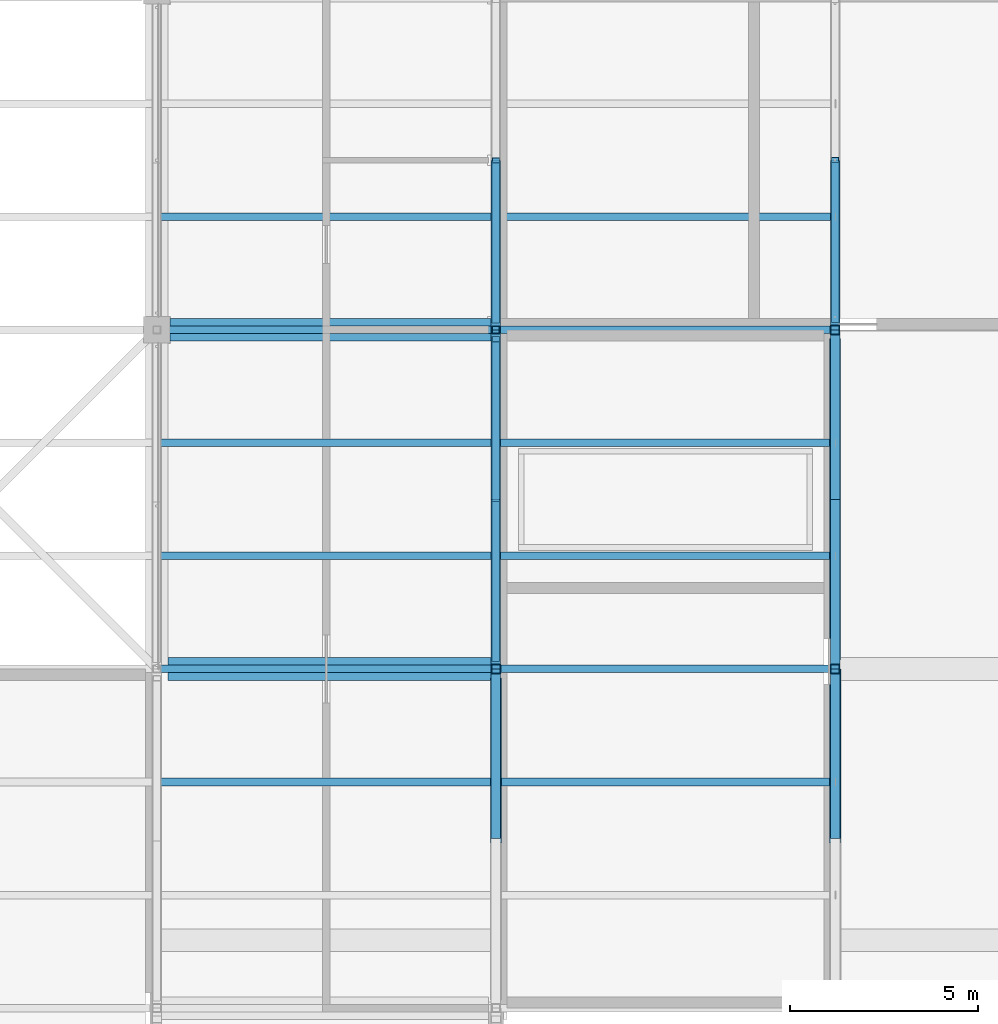
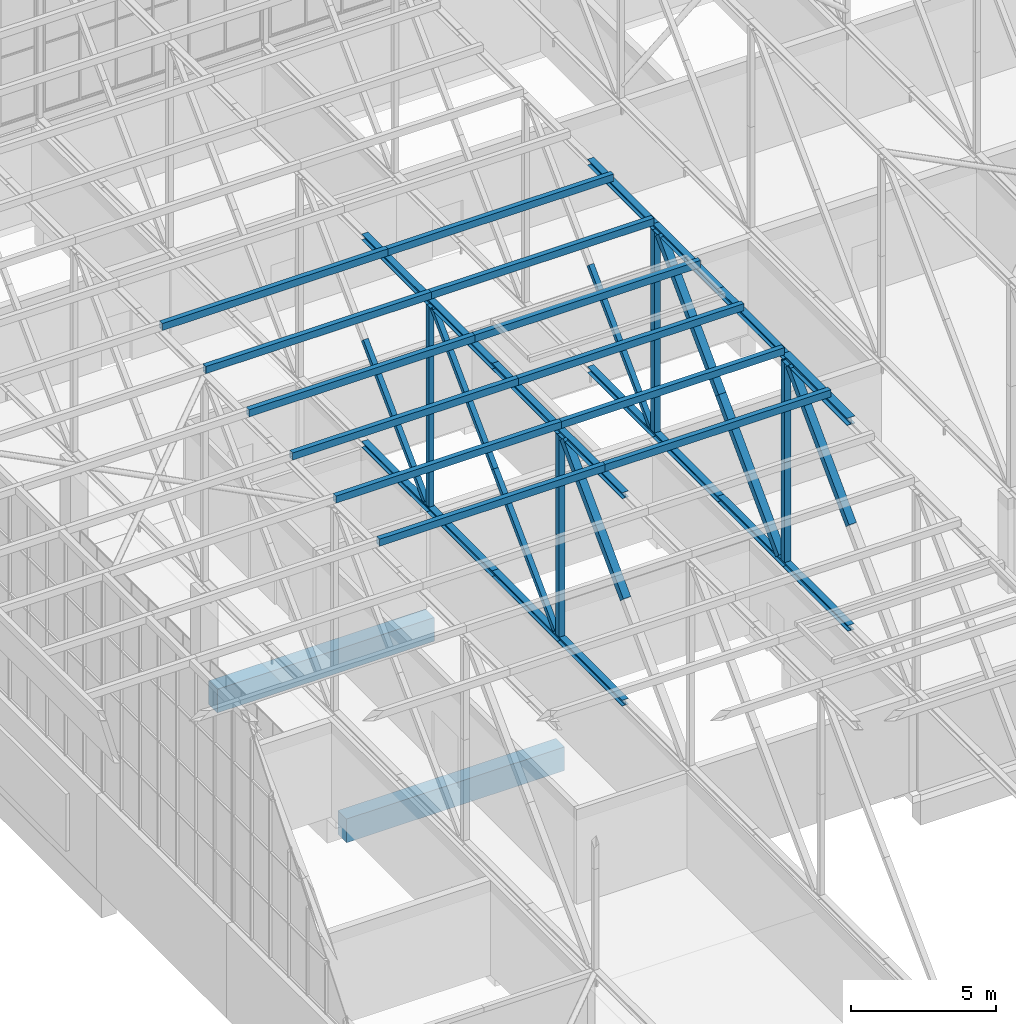
# One storey, part 61 of 646: 44 members, 2 beams.
"""IFC4 building model written with IfcOpenShell, lengths in metres."""

from ifc_helpers import new_model, si_unit, direction, frame, origin, origin_2d, place, context, subcontext, project, spatial, rectangle, hollow_rectangle, i_section, extrude, material, material_profile, profile_set, type_object, element, save


model = new_model("IFC4")

# Units and contexts
model_context = context("Model", 3, precision=1e-05, world=origin(), true_north=direction((0.0, 1.0)))
body_context = subcontext(model_context, "Body", "Model", "MODEL_VIEW")
ifc_project = project(units=[si_unit("LENGTHUNIT", "METRE"), si_unit("AREAUNIT", "SQUARE_METRE"), si_unit("VOLUMEUNIT", "CUBIC_METRE"), si_unit("PLANEANGLEUNIT", "RADIAN"), si_unit("MASSUNIT", "GRAM", prefix="KILO")], contexts=[model_context])

# Site, building, storey
site_placement = place(None, origin())
site = spatial("IfcSite", under=ifc_project, at=site_placement, CompositionType="ELEMENT")
building_placement = place(site_placement, origin())
building = spatial("IfcBuilding", under=site, at=building_placement, Name="Silverbay Arena", CompositionType="ELEMENT")
storey_placement = place(building_placement, frame((0.0, 0.0, 33.5)))
storey = spatial("IfcBuildingStorey", under=building, at=storey_placement, Name="L05", CompositionType="ELEMENT", Elevation=33.5)

# Members
ifc_material_1 = material(Name="Steel S355", Category="steel")
ifc_material_profile_1 = material_profile(ifc_material_1, i_section(OverallWidth=0.254638671875, OverallDepth=0.254150390625, WebThickness=0.008544921875, FlangeThickness=0.01416015625, at=origin_2d()), Name="UC 254x254x73")
ifc_profile_set_1 = profile_set([ifc_material_profile_1], Name="Steel S355")
member_type_1 = type_object("IfcMemberType", Name="Long-span bottom chord UC 254x254x73", PredefinedType="CHORD", material=ifc_profile_set_1)
for number, where, z_axis, x_axis, name in (
    (1, (81.0, 103.5, 4.126953125), (0.0, 1.0, 0.0), (-1.0, 0.0, 0.0), "ROOF TRUSS 10 bottom chord 11b"),
    (2, (81.0, 108.0, 4.126953125), (0.0, 1.0, 0.0), (-1.0, 0.0, 0.0), "ROOF TRUSS 10 bottom chord 12a"),
    (3, (81.0, 112.5, 4.126953125), (0.0, 1.0, 0.0), (-1.0, 0.0, 0.0), "ROOF TRUSS 10 bottom chord 12b"),
    (4, (81.0, 117.0, 4.126953125), (0.0, 1.0, 0.0), (-1.0, 0.0, 0.0), "ROOF TRUSS 10 bottom chord 13a"),
):
    element("IfcMember", number, at=place(storey_placement, frame(where, z_axis=z_axis, x_axis=x_axis)), inside=storey, type_object=member_type_1, Name=name, PredefinedType="CHORD", context=body_context, shape_type="SweptSolid", body=[
        extrude(i_section(OverallWidth=0.254638671875, OverallDepth=0.254150390625, WebThickness=0.008544921875, FlangeThickness=0.01416015625, at=origin_2d()), origin(), (0.0, 0.0, 1.0), 4.5),
    ])
ifc_material_2 = material(Name="Steel S355", Category="steel")
ifc_material_profile_2 = material_profile(ifc_material_2, i_section(OverallWidth=0.254638671875, OverallDepth=0.254150390625, WebThickness=0.008544921875, FlangeThickness=0.01416015625, at=origin_2d()), Name="UC 254x254x73")
ifc_profile_set_2 = profile_set([ifc_material_profile_2], Name="Steel S355")
member_type_2 = type_object("IfcMemberType", Name="Long-span top chord UC 254x254x73", PredefinedType="CHORD", material=ifc_profile_set_2)
for number, where, z_axis, x_axis, name in (
    (5, (81.0, 108.0, 12.873046875), (0.0, 1.0, 0.0), (-1.0, 0.0, 0.0), "ROOF TRUSS 10 top chord 12a"),
    (6, (81.0, 112.5, 12.873046875), (0.0, 1.0, 0.0), (-1.0, 0.0, 0.0), "ROOF TRUSS 10 top chord 12b"),
    (7, (81.0, 117.0, 12.873046875), (0.0, 1.0, 0.0), (-1.0, 0.0, 0.0), "ROOF TRUSS 10 top chord 13a"),
):
    element("IfcMember", number, at=place(storey_placement, frame(where, z_axis=z_axis, x_axis=x_axis)), inside=storey, type_object=member_type_2, Name=name, PredefinedType="CHORD", context=body_context, shape_type="SweptSolid", body=[
        extrude(i_section(OverallWidth=0.254638671875, OverallDepth=0.254150390625, WebThickness=0.008544921875, FlangeThickness=0.01416015625, at=origin_2d()), origin(), (0.0, 0.0, 1.0), 4.5),
    ])
ifc_material_3 = material(Name="Steel S355", Category="steel")
ifc_material_profile_3 = material_profile(ifc_material_3, i_section(OverallWidth=0.307373046875, OverallDepth=0.314453125, WebThickness=0.011962890625, FlangeThickness=0.018798828125, at=origin_2d()), Name="UC 305x305x118")
ifc_profile_set_3 = profile_set([ifc_material_profile_3], Name="Steel S355")
member_type_3 = type_object("IfcMemberType", Name="Long-span top chord UC 305x305x118", PredefinedType="CHORD", material=ifc_profile_set_3)
member_1_placement = place(storey_placement, frame((81.0, 103.5, 12.8427734375), z_axis=(0.0, 1.0, 0.0), x_axis=(-1.0, 0.0, 0.0)))
element("IfcMember", 8, at=member_1_placement, inside=storey, type_object=member_type_3, Name="ROOF TRUSS 10 top chord 11b", PredefinedType="CHORD", context=body_context, shape_type="SweptSolid", body=[
    extrude(i_section(OverallWidth=0.307373046875, OverallDepth=0.314453125, WebThickness=0.011962890625, FlangeThickness=0.018798828125, at=origin_2d()), origin(), (0.0, 0.0, 1.0), 4.5),
])
ifc_material_4 = material(Name="Steel S355", Category="steel")
ifc_material_profile_4 = material_profile(ifc_material_4, hollow_rectangle(XDim=0.199951171875, YDim=0.199951171875, WallThickness=0.008056640625, at=origin_2d()), Name="SHS 200x200x8")
ifc_profile_set_4 = profile_set([ifc_material_profile_4], Name="Steel S355")
member_type_4 = type_object("IfcMemberType", Name="Long-span truss diagonal SHS 200x200x8", PredefinedType="BRACE", material=ifc_profile_set_4)
member_2_placement = place(storey_placement, frame((81.0, 121.512451171875, 8.5), z_axis=(0.0, -0.7067609232, -0.707452470091), x_axis=(1.0, 0.0, 0.0)))
element("IfcMember", 9, at=member_2_placement, inside=storey, type_object=member_type_4, Name="ROOF TRUSS 10 diagonal 13b", PredefinedType="BRACE", context=body_context, shape_type="SweptSolid", body=[
    extrude(hollow_rectangle(XDim=0.199951171875, YDim=0.199951171875, WallThickness=0.008056640625, at=origin_2d()), origin(), (0.0, 0.0, 1.0), 6.001708984375),
])
ifc_material_5 = material(Name="Steel S355", Category="steel")
ifc_material_profile_5 = material_profile(ifc_material_5, hollow_rectangle(XDim=0.300048828125, YDim=0.300048828125, WallThickness=0.012451171875, at=origin_2d()), Name="SHS 300x300x12.5")
ifc_profile_set_5 = profile_set([ifc_material_profile_5], Name="Steel S355")
member_type_5 = type_object("IfcMemberType", Name="Long-span truss diagonal SHS 300x300x12.5", PredefinedType="BRACE", material=ifc_profile_set_5)
member_3_placement = place(storey_placement, frame((81.0, 107.655517578125, 12.685546875), z_axis=(0.0, -0.70264254283, -0.711543011353), x_axis=(1.0, 0.0, 0.0)))
element("IfcMember", 10, at=member_3_placement, inside=storey, type_object=member_type_5, Name="ROOF TRUSS 10 diagonal 11a", PredefinedType="BRACE", context=body_context, shape_type="SweptSolid", body=[
    extrude(hollow_rectangle(XDim=0.300048828125, YDim=0.300048828125, WallThickness=0.012451171875, at=origin_2d()), origin(), (0.0, 0.0, 1.0), 5.9248046875),
])
ifc_material_6 = material(Name="Steel S355", Category="steel")
ifc_material_profile_6 = material_profile(ifc_material_6, hollow_rectangle(XDim=0.300048828125, YDim=0.300048828125, WallThickness=0.01416015625, at=origin_2d()), Name="SHS 300x300x14.2")
ifc_profile_set_6 = profile_set([ifc_material_profile_6], Name="Steel S355")
member_type_6 = type_object("IfcMemberType", Name="Long-span truss diagonal SHS 300x300x14.2", PredefinedType="BRACE", material=ifc_profile_set_6)
for number, where, z_axis, x_axis, name in (
    (11, (81.0, 116.656494140625, 12.745849609375), (0.0, -0.699547435142, -0.714586164144), (1.0, 0.0, 0.0), "ROOF TRUSS 10 diagonal 12a"),
    (12, (81.0, 112.5, 8.5), (0.0, -0.699547435142, -0.714586164144), (1.0, 0.0, 0.0), "ROOF TRUSS 10 diagonal 12b"),
):
    element("IfcMember", number, at=place(storey_placement, frame(where, z_axis=z_axis, x_axis=x_axis)), inside=storey, type_object=member_type_6, Name=name, PredefinedType="BRACE", context=body_context, shape_type="SweptSolid", body=[
        extrude(hollow_rectangle(XDim=0.300048828125, YDim=0.300048828125, WallThickness=0.01416015625, at=origin_2d()), origin(), (0.0, 0.0, 1.0), 5.941650390625),
    ])
ifc_material_7 = material(Name="Steel S355", Category="steel")
ifc_material_profile_7 = material_profile(ifc_material_7, hollow_rectangle(XDim=0.25, YDim=0.25, WallThickness=0.010009765625, at=origin_2d()), Name="SHS 250x250x10")
ifc_profile_set_7 = profile_set([ifc_material_profile_7], Name="Steel S355")
member_type_7 = type_object("IfcMemberType", Name="Long-span truss vertical SHS 250x250x10", PredefinedType="STRUT", material=ifc_profile_set_7)
member_4_placement = place(storey_placement, frame((81.0, 108.0, 4.254150390625), z_axis=(0.0, 0.0, 1.0), x_axis=(1.0, 0.0, 0.0)))
element("IfcMember", 13, at=member_4_placement, inside=storey, type_object=member_type_7, Name="ROOF TRUSS 10 vertical 12a", PredefinedType="STRUT", context=body_context, shape_type="SweptSolid", body=[
    extrude(hollow_rectangle(XDim=0.25, YDim=0.25, WallThickness=0.010009765625, at=origin_2d()), origin(), (0.0, 0.0, 1.0), 4.215576171875),
])
member_5_placement = place(storey_placement, frame((81.0, 108.0, 8.4697265625), z_axis=(0.0, 0.0, 1.0), x_axis=(1.0, 0.0, 0.0)))
element("IfcMember", 14, at=member_5_placement, inside=storey, type_object=member_type_7, Name="ROOF TRUSS 10 vertical 12b", PredefinedType="STRUT", context=body_context, shape_type="SweptSolid", body=[
    extrude(hollow_rectangle(XDim=0.25, YDim=0.25, WallThickness=0.010009765625, at=origin_2d()), origin(), (0.0, 0.0, 1.0), 4.2158203125),
])
for number, where, z_axis, x_axis, name in (
    (15, (81.0, 117.0, 4.254150390625), (0.0, 0.0, 1.0), (1.0, 0.0, 0.0), "ROOF TRUSS 10 vertical 13a"),
    (16, (81.0, 117.0, 8.5), (0.0, 0.0, 1.0), (1.0, 0.0, 0.0), "ROOF TRUSS 10 vertical 13b"),
):
    element("IfcMember", number, at=place(storey_placement, frame(where, z_axis=z_axis, x_axis=x_axis)), inside=storey, type_object=member_type_7, Name=name, PredefinedType="STRUT", context=body_context, shape_type="SweptSolid", body=[
        extrude(hollow_rectangle(XDim=0.25, YDim=0.25, WallThickness=0.010009765625, at=origin_2d()), origin(), (0.0, 0.0, 1.0), 4.245849609375),
    ])
ifc_material_8 = material(Name="Steel S355", Category="steel")
ifc_material_profile_8 = material_profile(ifc_material_8, i_section(OverallWidth=0.254638671875, OverallDepth=0.254150390625, WebThickness=0.008544921875, FlangeThickness=0.01416015625, at=origin_2d()), Name="UC 254x254x73")
ifc_profile_set_8 = profile_set([ifc_material_profile_8], Name="Steel S355")
member_type_8 = type_object("IfcMemberType", Name="Medium-span bottom chord UC 254x254x73", PredefinedType="CHORD", material=ifc_profile_set_8)
for number, where, z_axis, x_axis, name in (
    (17, (72.0, 103.5, 4.126953125), (0.0, 1.0, 0.0), (-1.0, 0.0, 0.0), "ROOF TRUSS 9 bottom chord 11b"),
    (18, (72.0, 108.0, 4.126953125), (0.0, 1.0, 0.0), (-1.0, 0.0, 0.0), "ROOF TRUSS 9 bottom chord 12a"),
    (19, (72.0, 112.5, 4.126953125), (0.0, 1.0, 0.0), (-1.0, 0.0, 0.0), "ROOF TRUSS 9 bottom chord 12b"),
    (20, (72.0, 117.0, 4.126953125), (0.0, 1.0, 0.0), (-1.0, 0.0, 0.0), "ROOF TRUSS 9 bottom chord 13a"),
):
    element("IfcMember", number, at=place(storey_placement, frame(where, z_axis=z_axis, x_axis=x_axis)), inside=storey, type_object=member_type_8, Name=name, PredefinedType="CHORD", context=body_context, shape_type="SweptSolid", body=[
        extrude(i_section(OverallWidth=0.254638671875, OverallDepth=0.254150390625, WebThickness=0.008544921875, FlangeThickness=0.01416015625, at=origin_2d()), origin(), (0.0, 0.0, 1.0), 4.5),
    ])
ifc_material_9 = material(Name="Steel S355", Category="steel")
ifc_material_profile_9 = material_profile(ifc_material_9, i_section(OverallWidth=0.254638671875, OverallDepth=0.254150390625, WebThickness=0.008544921875, FlangeThickness=0.01416015625, at=origin_2d()), Name="UC 254x254x73")
ifc_profile_set_9 = profile_set([ifc_material_profile_9], Name="Steel S355")
member_type_9 = type_object("IfcMemberType", Name="Medium-span top chord UC 254x254x73", PredefinedType="CHORD", material=ifc_profile_set_9)
for number, where, z_axis, x_axis, name in (
    (21, (72.0, 103.5, 12.873046875), (0.0, 1.0, 0.0), (-1.0, 0.0, 0.0), "ROOF TRUSS 9 top chord 11b"),
    (22, (72.0, 108.0, 12.873046875), (0.0, 1.0, 0.0), (-1.0, 0.0, 0.0), "ROOF TRUSS 9 top chord 12a"),
    (23, (72.0, 112.5, 12.873046875), (0.0, 1.0, 0.0), (-1.0, 0.0, 0.0), "ROOF TRUSS 9 top chord 12b"),
    (24, (72.0, 117.0, 12.873046875), (0.0, 1.0, 0.0), (-1.0, 0.0, 0.0), "ROOF TRUSS 9 top chord 13a"),
):
    element("IfcMember", number, at=place(storey_placement, frame(where, z_axis=z_axis, x_axis=x_axis)), inside=storey, type_object=member_type_9, Name=name, PredefinedType="CHORD", context=body_context, shape_type="SweptSolid", body=[
        extrude(i_section(OverallWidth=0.254638671875, OverallDepth=0.254150390625, WebThickness=0.008544921875, FlangeThickness=0.01416015625, at=origin_2d()), origin(), (0.0, 0.0, 1.0), 4.5),
    ])
ifc_material_10 = material(Name="Steel S355", Category="steel")
ifc_material_profile_10 = material_profile(ifc_material_10, hollow_rectangle(XDim=0.199951171875, YDim=0.199951171875, WallThickness=0.008056640625, at=origin_2d()), Name="SHS 200x200x8")
ifc_profile_set_10 = profile_set([ifc_material_profile_10], Name="Steel S355")
member_type_10 = type_object("IfcMemberType", Name="Medium-span truss diagonal SHS 200x200x8", PredefinedType="BRACE", material=ifc_profile_set_10)
for number, where, z_axis, x_axis, name in (
    (25, (72.0, 116.75439453125, 12.745849609375), (0.0, -0.706781281828, -0.707432130778), (1.0, 0.0, 0.0), "ROOF TRUSS 9 diagonal 12a"),
    (26, (72.0, 112.512451171875, 8.5), (0.0, -0.7067609232, -0.707452470091), (1.0, 0.0, 0.0), "ROOF TRUSS 9 diagonal 12b"),
):
    element("IfcMember", number, at=place(storey_placement, frame(where, z_axis=z_axis, x_axis=x_axis)), inside=storey, type_object=member_type_10, Name=name, PredefinedType="BRACE", context=body_context, shape_type="SweptSolid", body=[
        extrude(hollow_rectangle(XDim=0.199951171875, YDim=0.199951171875, WallThickness=0.008056640625, at=origin_2d()), origin(), (0.0, 0.0, 1.0), 6.001708984375),
    ])
member_6_placement = place(storey_placement, frame((72.0, 121.5, 8.5), z_axis=(0.0, -0.70781724692, -0.706395600894), x_axis=(1.0, 0.0, 0.0)))
element("IfcMember", 27, at=member_6_placement, inside=storey, type_object=member_type_10, Name="ROOF TRUSS 9 diagonal 13b", PredefinedType="BRACE", context=body_context, shape_type="SweptSolid", body=[
    extrude(hollow_rectangle(XDim=0.199951171875, YDim=0.199951171875, WallThickness=0.008056640625, at=origin_2d()), origin(), (0.0, 0.0, 1.0), 6.010498046875),
])
ifc_material_11 = material(Name="Steel S355", Category="steel")
ifc_material_profile_11 = material_profile(ifc_material_11, hollow_rectangle(XDim=0.300048828125, YDim=0.300048828125, WallThickness=0.012451171875, at=origin_2d()), Name="SHS 300x300x12.5")
ifc_profile_set_11 = profile_set([ifc_material_profile_11], Name="Steel S355")
member_type_11 = type_object("IfcMemberType", Name="Medium-span truss diagonal SHS 300x300x12.5", PredefinedType="BRACE", material=ifc_profile_set_11)
member_7_placement = place(storey_placement, frame((72.0, 107.656494140625, 12.745849609375), z_axis=(0.0, -0.700196997117, -0.713949693766), x_axis=(1.0, 0.0, 0.0)))
element("IfcMember", 28, at=member_7_placement, inside=storey, type_object=member_type_11, Name="ROOF TRUSS 9 diagonal 11a", PredefinedType="BRACE", context=body_context, shape_type="SweptSolid", body=[
    extrude(hollow_rectangle(XDim=0.300048828125, YDim=0.300048828125, WallThickness=0.012451171875, at=origin_2d()), origin(), (0.0, 0.0, 1.0), 5.947021484375),
])
ifc_material_12 = material(Name="Steel S355", Category="steel")
ifc_material_profile_12 = material_profile(ifc_material_12, hollow_rectangle(XDim=0.199951171875, YDim=0.199951171875, WallThickness=0.008056640625, at=origin_2d()), Name="SHS 200x200x8")
ifc_profile_set_12 = profile_set([ifc_material_profile_12], Name="Steel S355")
member_type_12 = type_object("IfcMemberType", Name="Medium-span truss vertical SHS 200x200x8", PredefinedType="STRUT", material=ifc_profile_set_12)
for number, where, z_axis, x_axis, name in (
    (29, (72.0, 117.0, 4.254150390625), (0.0, 0.0, 1.0), (1.0, 0.0, 0.0), "ROOF TRUSS 9 vertical 13a"),
    (30, (72.0, 117.0, 8.5), (0.0, 0.0, 1.0), (1.0, 0.0, 0.0), "ROOF TRUSS 9 vertical 13b"),
):
    element("IfcMember", number, at=place(storey_placement, frame(where, z_axis=z_axis, x_axis=x_axis)), inside=storey, type_object=member_type_12, Name=name, PredefinedType="STRUT", context=body_context, shape_type="SweptSolid", body=[
        extrude(hollow_rectangle(XDim=0.199951171875, YDim=0.199951171875, WallThickness=0.008056640625, at=origin_2d()), origin(), (0.0, 0.0, 1.0), 4.245849609375),
    ])
ifc_material_13 = material(Name="Steel S355", Category="steel")
ifc_material_profile_13 = material_profile(ifc_material_13, hollow_rectangle(XDim=0.25, YDim=0.25, WallThickness=0.010009765625, at=origin_2d()), Name="SHS 250x250x10")
ifc_profile_set_13 = profile_set([ifc_material_profile_13], Name="Steel S355")
member_type_13 = type_object("IfcMemberType", Name="Medium-span truss vertical SHS 250x250x10", PredefinedType="STRUT", material=ifc_profile_set_13)
for number, where, z_axis, x_axis, name in (
    (31, (72.0, 108.0, 4.254150390625), (0.0, 0.0, 1.0), (1.0, 0.0, 0.0), "ROOF TRUSS 9 vertical 12a"),
    (32, (72.0, 108.0, 8.5), (0.0, 0.0, 1.0), (1.0, 0.0, 0.0), "ROOF TRUSS 9 vertical 12b"),
):
    element("IfcMember", number, at=place(storey_placement, frame(where, z_axis=z_axis, x_axis=x_axis)), inside=storey, type_object=member_type_13, Name=name, PredefinedType="STRUT", context=body_context, shape_type="SweptSolid", body=[
        extrude(hollow_rectangle(XDim=0.25, YDim=0.25, WallThickness=0.010009765625, at=origin_2d()), origin(), (0.0, 0.0, 1.0), 4.245849609375),
    ])
ifc_material_14 = material(Name="Steel S355", Category="steel")
ifc_material_profile_14 = material_profile(ifc_material_14, hollow_rectangle(XDim=0.199951171875, YDim=0.300048828125, WallThickness=0.00634765625, at=origin_2d()), Name="RHS 300x200x6.3")
ifc_profile_set_14 = profile_set([ifc_material_profile_14], Name="Steel S355")
member_type_14 = type_object("IfcMemberType", Name="Purlin RHS 300x200x6.3", PredefinedType="PURLIN", material=ifc_profile_set_14)
for number, where, z_axis, x_axis, name in (
    (33, (63.0, 105.0, 13.14990234375), (1.0, 0.0, 0.0), (0.0, 1.0, 0.0), "ROOF PURLIN 8-9 line 33"),
    (34, (63.0, 108.0, 13.14990234375), (1.0, 0.0, 0.0), (0.0, 1.0, 0.0), "ROOF PURLIN 8-9 line 34"),
    (35, (63.0, 111.0, 13.14990234375), (1.0, 0.0, 0.0), (0.0, 1.0, 0.0), "ROOF PURLIN 8-9 line 35"),
    (36, (63.0, 114.0, 13.14990234375), (1.0, 0.0, 0.0), (0.0, 1.0, 0.0), "ROOF PURLIN 8-9 line 36"),
    (37, (63.0, 117.0, 13.14990234375), (1.0, 0.0, 0.0), (0.0, 1.0, 0.0), "ROOF PURLIN 8-9 line 37"),
    (38, (63.0, 120.0, 13.14990234375), (1.0, 0.0, 0.0), (0.0, 1.0, 0.0), "ROOF PURLIN 8-9 line 38"),
    (39, (72.0, 105.0, 13.14990234375), (1.0, 0.0, 0.0), (0.0, 1.0, 0.0), "ROOF PURLIN 9-10 line 33"),
):
    element("IfcMember", number, at=place(storey_placement, frame(where, z_axis=z_axis, x_axis=x_axis)), inside=storey, type_object=member_type_14, Name=name, PredefinedType="PURLIN", context=body_context, shape_type="SweptSolid", body=[
        extrude(hollow_rectangle(XDim=0.199951171875, YDim=0.300048828125, WallThickness=0.00634765625, at=origin_2d()), origin(), (0.0, 0.0, 1.0), 9.0),
    ])
member_8_placement = place(storey_placement, frame((72.0, 108.0, 13.14990234375), z_axis=(1.0, 0.0, 0.0), x_axis=(0.0, 1.0, 0.0)))
element("IfcMember", 40, at=member_8_placement, inside=storey, type_object=member_type_14, Name="ROOF PURLIN 9-10 line 34", PredefinedType="PURLIN", context=body_context, shape_type="SweptSolid", body=[
    extrude(hollow_rectangle(XDim=0.199951171875, YDim=0.300048828125, WallThickness=0.00634765625, at=origin_2d()), origin(), (0.0, 0.0, 1.0), 8.875),
])
for number, where, z_axis, x_axis, name in (
    (41, (72.0, 111.0, 13.14990234375), (1.0, 0.0, 0.0), (0.0, 1.0, 0.0), "ROOF PURLIN 9-10 line 35"),
    (42, (72.0, 114.0, 13.14990234375), (1.0, 0.0, 0.0), (0.0, 1.0, 0.0), "ROOF PURLIN 9-10 line 36"),
):
    element("IfcMember", number, at=place(storey_placement, frame(where, z_axis=z_axis, x_axis=x_axis)), inside=storey, type_object=member_type_14, Name=name, PredefinedType="PURLIN", context=body_context, shape_type="SweptSolid", body=[
        extrude(hollow_rectangle(XDim=0.199951171875, YDim=0.300048828125, WallThickness=0.00634765625, at=origin_2d()), origin(), (0.0, 0.0, 1.0), 9.0),
    ])
member_9_placement = place(storey_placement, frame((72.0, 117.0, 13.14990234375), z_axis=(1.0, 0.0, 0.0), x_axis=(0.0, 1.0, 0.0)))
element("IfcMember", 43, at=member_9_placement, inside=storey, type_object=member_type_14, Name="ROOF PURLIN 9-10 line 37", PredefinedType="PURLIN", context=body_context, shape_type="SweptSolid", body=[
    extrude(hollow_rectangle(XDim=0.199951171875, YDim=0.300048828125, WallThickness=0.00634765625, at=origin_2d()), origin(), (0.0, 0.0, 1.0), 8.875),
])
member_10_placement = place(storey_placement, frame((72.0, 120.0, 13.14990234375), z_axis=(1.0, 0.0, 0.0), x_axis=(0.0, 1.0, 0.0)))
element("IfcMember", 44, at=member_10_placement, inside=storey, type_object=member_type_14, Name="ROOF PURLIN 9-10 line 38", PredefinedType="PURLIN", context=body_context, shape_type="SweptSolid", body=[
    extrude(hollow_rectangle(XDim=0.199951171875, YDim=0.300048828125, WallThickness=0.00634765625, at=origin_2d()), origin(), (0.0, 0.0, 1.0), 9.0),
])

# Beams
ifc_material_15 = material(Name="Concrete Grade C45", Category="concrete")
ifc_material_profile_15 = material_profile(ifc_material_15, rectangle(XDim=0.60009765625, YDim=1.0, at=origin_2d()), Name="RC 600x1000")
ifc_profile_set_15 = profile_set([ifc_material_profile_15], Name="Concrete Grade C45")
beam_type = type_object("IfcBeamType", Name="RC beam 600x1000", PredefinedType="BEAM", material=ifc_profile_set_15)
beam_1_placement = place(storey_placement, frame((63.300048828125, 108.0, -0.800048828125), z_axis=(1.0, 0.0, 0.0), x_axis=(0.0, 1.0, 0.0)))
element("IfcBeam", 45, at=beam_1_placement, inside=storey, type_object=beam_type, Name="Floor beam L05 047", PredefinedType="BEAM", context=body_context, shape_type="SweptSolid", body=[
    extrude(rectangle(XDim=0.60009765625, YDim=1.0, at=origin_2d()), origin(), (0.0, 0.0, 1.0), 8.699951171875),
])
beam_2_placement = place(storey_placement, frame((63.35009765625, 117.0, -0.800048828125), z_axis=(1.0, 0.0, 0.0), x_axis=(0.0, 1.0, 0.0)))
element("IfcBeam", 46, at=beam_2_placement, inside=storey, type_object=beam_type, Name="Floor beam L05 053", PredefinedType="BEAM", context=body_context, shape_type="SweptSolid", body=[
    extrude(rectangle(XDim=0.60009765625, YDim=1.0, at=origin_2d()), origin(), (0.0, 0.0, 1.0), 8.64990234375),
])

save(model, "model.ifc")
